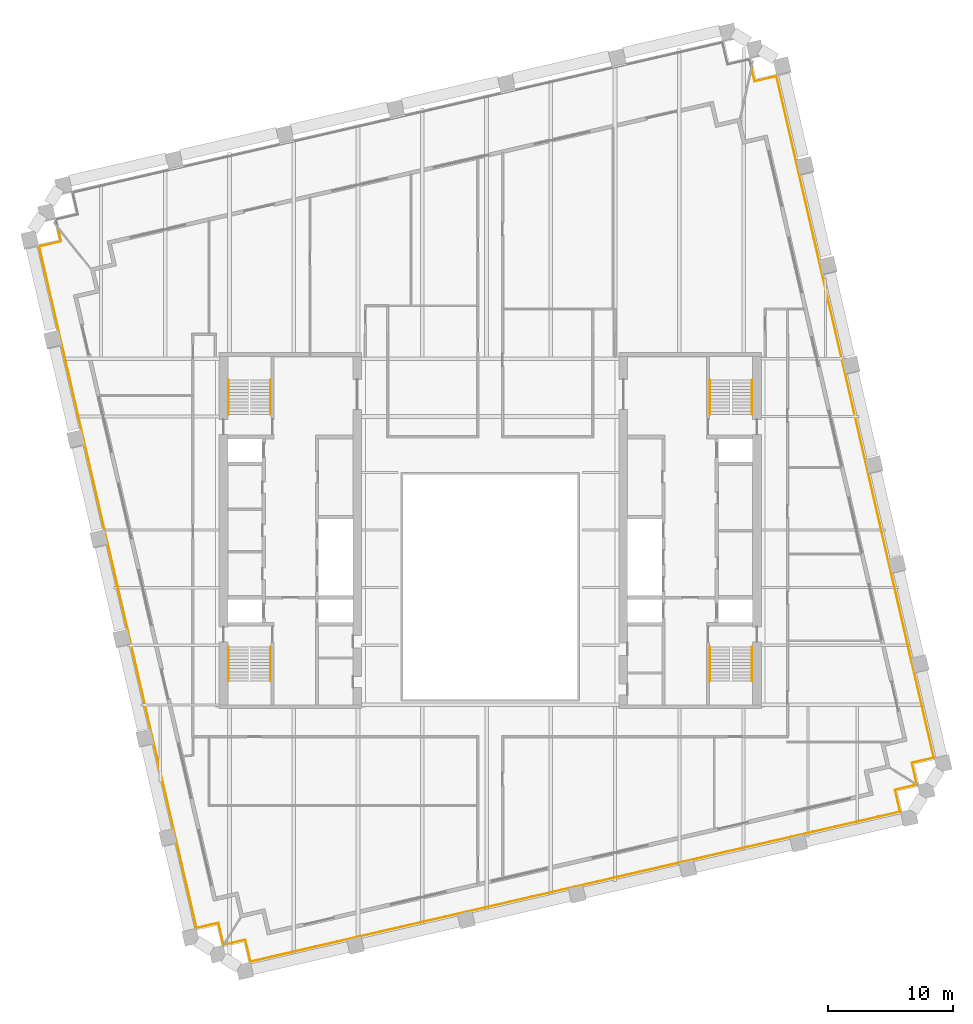
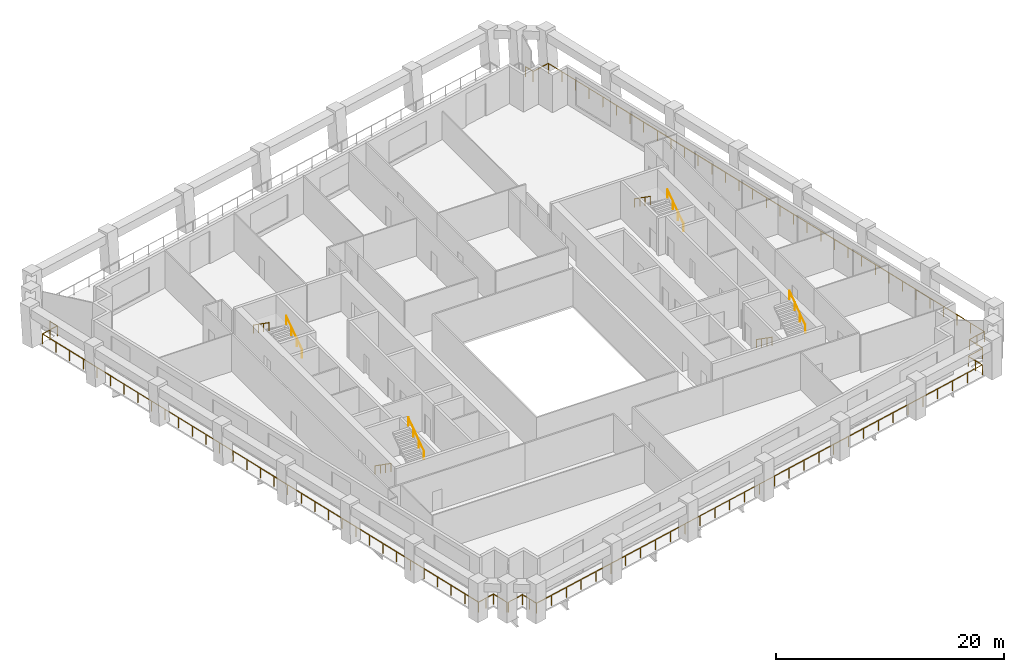
# One storey, part 9 of 10: 11 railings.
"""IFC4 building model written with IfcOpenShell, lengths in metres."""

from ifc_helpers import new_model, si_unit, direction, frame, origin, origin_2d, place, context, subcontext, project, spatial, circle, extrude, material, type_object, element, save


model = new_model("IFC4")

# Units and contexts
model_context = context("Model", 3, precision=1e-05, world=origin(), true_north=direction((0.0, 1.0)))
body_context = subcontext(model_context, "Body", "Model", "MODEL_VIEW")
ifc_project = project(units=[si_unit("LENGTHUNIT", "METRE"), si_unit("AREAUNIT", "SQUARE_METRE"), si_unit("VOLUMEUNIT", "CUBIC_METRE"), si_unit("PLANEANGLEUNIT", "RADIAN"), si_unit("MASSUNIT", "GRAM", prefix="KILO")], contexts=[model_context])

# Site, building, storey
site_placement = place(None, origin())
site = spatial("IfcSite", under=ifc_project, at=site_placement, CompositionType="ELEMENT")
building_placement = place(site_placement, origin())
building = spatial("IfcBuilding", under=site, at=building_placement, Name="Ogive Exchange Tower", CompositionType="ELEMENT")
storey_placement = place(building_placement, frame((0.0, 0.0, 196.800048828125)))
storey = spatial("IfcBuildingStorey", under=building, at=storey_placement, Name="L43", CompositionType="ELEMENT", Elevation=196.800048828125)

# Railings
ifc_material_1 = material(Name="Stainless steel 316", Category="steel")
railing_type_1 = type_object("IfcRailingType", Name="Guard 1100 stainless steel and glass", PredefinedType="GUARDRAIL", material=ifc_material_1)
railing_1_placement = place(storey_placement, frame((34.067138671875, -8.864013671875, -0.050048828125)))
element("IfcRailing", 1, at=railing_1_placement, inside=storey, type_object=railing_type_1, Name="Loggia guard 1", PredefinedType="GUARDRAIL", context=body_context, shape_type="SweptSolid", body=[
    extrude(circle(Radius=0.02392578125, at=origin_2d()), frame((0.0, 0.0, 1.076171875), z_axis=(-0.974364690374, -0.224974332206, 0.0), x_axis=(0.224974332206, -0.974364690374, 0.0)), (0.0, 0.0, 1.0), 1.7080078125),
    extrude(circle(Radius=0.02392578125, at=origin_2d()), frame((-1.664306640625, -0.38427734375, 1.076171875), z_axis=(0.224879318197, -0.974386623598, 0.0), x_axis=(0.974386623598, 0.224879318197, 0.0)), (0.0, 0.0, 1.0), 1.800048828125),
    extrude(circle(Radius=0.02392578125, at=origin_2d()), frame((-1.259521484375, -2.13818359375, 1.076171875), z_axis=(-0.97436998541, -0.224951398156, 0.0), x_axis=(0.224951398156, -0.97436998541, 0.0)), (0.0, 0.0, 1.0), 53.360107421875),
    extrude(circle(Radius=0.02392578125, at=origin_2d()), frame((-53.251953125, -14.1416015625, 1.076171875), z_axis=(-0.224879318197, 0.974386623598, 0.0), x_axis=(-0.974386623598, -0.224879318197, 0.0)), (0.0, 0.0, 1.0), 1.800048828125),
    extrude(circle(Radius=0.02392578125, at=origin_2d()), frame((-53.65673828125, -12.3876953125, 1.076171875), z_axis=(-0.974364690374, -0.224974332206, 0.0), x_axis=(0.224974332206, -0.974364690374, 0.0)), (0.0, 0.0, 1.0), 1.7080078125),
    extrude(circle(Radius=0.02099609375, at=origin_2d()), origin(), (0.0, 0.0, 1.0), 1.052001953125),
    extrude(circle(Radius=0.02099609375, at=origin_2d()), frame((-1.664306640625, -0.38427734375, 0.0)), (0.0, 0.0, 1.0), 1.052001953125),
    extrude(circle(Radius=0.02099609375, at=origin_2d()), frame((-1.4619140625, -1.26123046875, 0.0)), (0.0, 0.0, 1.0), 1.052001953125),
    extrude(circle(Radius=0.02099609375, at=origin_2d()), frame((-1.259521484375, -2.13818359375, 0.0)), (0.0, 0.0, 1.0), 1.052001953125),
    extrude(circle(Radius=0.02099609375, at=origin_2d()), frame((-2.99267578125, -2.538330078125, 0.0)), (0.0, 0.0, 1.0), 1.052001953125),
    extrude(circle(Radius=0.02099609375, at=origin_2d()), frame((-4.7255859375, -2.9384765625, 0.0)), (0.0, 0.0, 1.0), 1.052001953125),
    extrude(circle(Radius=0.02099609375, at=origin_2d()), frame((-6.458740234375, -3.338623046875, 0.0)), (0.0, 0.0, 1.0), 1.052001953125),
    extrude(circle(Radius=0.02099609375, at=origin_2d()), frame((-8.19189453125, -3.738525390625, 0.0)), (0.0, 0.0, 1.0), 1.052001953125),
    extrude(circle(Radius=0.02099609375, at=origin_2d()), frame((-9.9248046875, -4.138671875, 0.0)), (0.0, 0.0, 1.0), 1.052001953125),
    extrude(circle(Radius=0.02099609375, at=origin_2d()), frame((-11.657958984375, -4.538818359375, 0.0)), (0.0, 0.0, 1.0), 1.052001953125),
    extrude(circle(Radius=0.02099609375, at=origin_2d()), frame((-13.39111328125, -4.93896484375, 0.0)), (0.0, 0.0, 1.0), 1.052001953125),
    extrude(circle(Radius=0.02099609375, at=origin_2d()), frame((-15.124267578125, -5.339111328125, 0.0)), (0.0, 0.0, 1.0), 1.052001953125),
    extrude(circle(Radius=0.02099609375, at=origin_2d()), frame((-16.857177734375, -5.7392578125, 0.0)), (0.0, 0.0, 1.0), 1.052001953125),
    extrude(circle(Radius=0.02099609375, at=origin_2d()), frame((-18.59033203125, -6.139404296875, 0.0)), (0.0, 0.0, 1.0), 1.052001953125),
    extrude(circle(Radius=0.02099609375, at=origin_2d()), frame((-20.323486328125, -6.53955078125, 0.0)), (0.0, 0.0, 1.0), 1.052001953125),
    extrude(circle(Radius=0.02099609375, at=origin_2d()), frame((-22.056396484375, -6.939453125, 0.0)), (0.0, 0.0, 1.0), 1.052001953125),
    extrude(circle(Radius=0.02099609375, at=origin_2d()), frame((-23.78955078125, -7.339599609375, 0.0)), (0.0, 0.0, 1.0), 1.052001953125),
    extrude(circle(Radius=0.02099609375, at=origin_2d()), frame((-25.522705078125, -7.73974609375, 0.0)), (0.0, 0.0, 1.0), 1.052001953125),
    extrude(circle(Radius=0.02099609375, at=origin_2d()), frame((-27.255859375, -8.139892578125, 0.0)), (0.0, 0.0, 1.0), 1.052001953125),
    extrude(circle(Radius=0.02099609375, at=origin_2d()), frame((-28.98876953125, -8.5400390625, 0.0)), (0.0, 0.0, 1.0), 1.052001953125),
    extrude(circle(Radius=0.02099609375, at=origin_2d()), frame((-30.721923828125, -8.940185546875, 0.0)), (0.0, 0.0, 1.0), 1.052001953125),
    extrude(circle(Radius=0.02099609375, at=origin_2d()), frame((-32.455078125, -9.34033203125, 0.0)), (0.0, 0.0, 1.0), 1.052001953125),
    extrude(circle(Radius=0.02099609375, at=origin_2d()), frame((-34.18798828125, -9.740234375, 0.0)), (0.0, 0.0, 1.0), 1.052001953125),
    extrude(circle(Radius=0.02099609375, at=origin_2d()), frame((-35.921142578125, -10.140380859375, 0.0)), (0.0, 0.0, 1.0), 1.052001953125),
    extrude(circle(Radius=0.02099609375, at=origin_2d()), frame((-37.654296875, -10.54052734375, 0.0)), (0.0, 0.0, 1.0), 1.052001953125),
    extrude(circle(Radius=0.02099609375, at=origin_2d()), frame((-39.38720703125, -10.940673828125, 0.0)), (0.0, 0.0, 1.0), 1.052001953125),
    extrude(circle(Radius=0.02099609375, at=origin_2d()), frame((-41.120361328125, -11.3408203125, 0.0)), (0.0, 0.0, 1.0), 1.052001953125),
    extrude(circle(Radius=0.02099609375, at=origin_2d()), frame((-42.853515625, -11.740966796875, 0.0)), (0.0, 0.0, 1.0), 1.052001953125),
    extrude(circle(Radius=0.02099609375, at=origin_2d()), frame((-44.58642578125, -12.14111328125, 0.0)), (0.0, 0.0, 1.0), 1.052001953125),
    extrude(circle(Radius=0.02099609375, at=origin_2d()), frame((-46.319580078125, -12.541259765625, 0.0)), (0.0, 0.0, 1.0), 1.052001953125),
    extrude(circle(Radius=0.02099609375, at=origin_2d()), frame((-48.052734375, -12.941162109375, 0.0)), (0.0, 0.0, 1.0), 1.052001953125),
    extrude(circle(Radius=0.02099609375, at=origin_2d()), frame((-49.785888671875, -13.34130859375, 0.0)), (0.0, 0.0, 1.0), 1.052001953125),
    extrude(circle(Radius=0.02099609375, at=origin_2d()), frame((-51.518798828125, -13.741455078125, 0.0)), (0.0, 0.0, 1.0), 1.052001953125),
    extrude(circle(Radius=0.02099609375, at=origin_2d()), frame((-53.251953125, -14.1416015625, 0.0)), (0.0, 0.0, 1.0), 1.052001953125),
    extrude(circle(Radius=0.02099609375, at=origin_2d()), frame((-53.454345703125, -13.2646484375, 0.0)), (0.0, 0.0, 1.0), 1.052001953125),
    extrude(circle(Radius=0.02099609375, at=origin_2d()), frame((-53.65673828125, -12.3876953125, 0.0)), (0.0, 0.0, 1.0), 1.052001953125),
    extrude(circle(Radius=0.02099609375, at=origin_2d()), frame((-55.321044921875, -12.77197265625, 0.0)), (0.0, 0.0, 1.0), 1.052001953125),
])
railing_2_placement = place(storey_placement, frame((-21.364013671875, -21.567138671875, -0.050048828125)))
element("IfcRailing", 2, at=railing_2_placement, inside=storey, type_object=railing_type_1, Name="Loggia guard 2", PredefinedType="GUARDRAIL", context=body_context, shape_type="SweptSolid", body=[
    extrude(circle(Radius=0.02392578125, at=origin_2d()), frame((0.0, 0.0, 1.076171875), z_axis=(-0.224974332206, 0.974364690374, 0.0), x_axis=(-0.974364690374, -0.224974332206, 0.0)), (0.0, 0.0, 1.0), 1.7080078125),
    extrude(circle(Radius=0.02392578125, at=origin_2d()), frame((-0.38427734375, 1.664306640625, 1.076171875), z_axis=(-0.974386623598, -0.224879318197, 0.0), x_axis=(0.224879318197, -0.974386623598, 0.0)), (0.0, 0.0, 1.0), 1.800048828125),
    extrude(circle(Radius=0.02392578125, at=origin_2d()), frame((-2.13818359375, 1.259521484375, 1.076171875), z_axis=(-0.224953146344, 0.974369581807, 0.0), x_axis=(-0.974369581807, -0.224953146344, 0.0)), (0.0, 0.0, 1.0), 55.981689453125),
    extrude(circle(Radius=0.02392578125, at=origin_2d()), frame((-14.7314453125, 55.806396484375, 1.076171875), z_axis=(0.974356896201, 0.225008086135, 0.0), x_axis=(-0.225008086135, 0.974356896201, 0.0)), (0.0, 0.0, 1.0), 1.800048828125),
    extrude(circle(Radius=0.02392578125, at=origin_2d()), frame((-12.9775390625, 56.21142578125, 1.076171875), z_axis=(-0.225061296152, 0.974344606889, 0.0), x_axis=(-0.974344606889, -0.225061296152, 0.0)), (0.0, 0.0, 1.0), 0.971923828125),
    extrude(circle(Radius=0.02099609375, at=origin_2d()), origin(), (0.0, 0.0, 1.0), 1.052001953125),
    extrude(circle(Radius=0.02099609375, at=origin_2d()), frame((-0.38427734375, 1.664306640625, 0.0)), (0.0, 0.0, 1.0), 1.052001953125),
    extrude(circle(Radius=0.02099609375, at=origin_2d()), frame((-1.26123046875, 1.4619140625, 0.0)), (0.0, 0.0, 1.0), 1.052001953125),
    extrude(circle(Radius=0.02099609375, at=origin_2d()), frame((-2.13818359375, 1.259521484375, 0.0)), (0.0, 0.0, 1.0), 1.052001953125),
    extrude(circle(Radius=0.02099609375, at=origin_2d()), frame((-2.53173828125, 2.964111328125, 0.0)), (0.0, 0.0, 1.0), 1.052001953125),
    extrude(circle(Radius=0.02099609375, at=origin_2d()), frame((-2.92529296875, 4.668701171875, 0.0)), (0.0, 0.0, 1.0), 1.052001953125),
    extrude(circle(Radius=0.02099609375, at=origin_2d()), frame((-3.31884765625, 6.373291015625, 0.0)), (0.0, 0.0, 1.0), 1.052001953125),
    extrude(circle(Radius=0.02099609375, at=origin_2d()), frame((-3.71240234375, 8.077880859375, 0.0)), (0.0, 0.0, 1.0), 1.052001953125),
    extrude(circle(Radius=0.02099609375, at=origin_2d()), frame((-4.10595703125, 9.782470703125, 0.0)), (0.0, 0.0, 1.0), 1.052001953125),
    extrude(circle(Radius=0.02099609375, at=origin_2d()), frame((-4.49951171875, 11.487060546875, 0.0)), (0.0, 0.0, 1.0), 1.052001953125),
    extrude(circle(Radius=0.02099609375, at=origin_2d()), frame((-4.89306640625, 13.191650390625, 0.0)), (0.0, 0.0, 1.0), 1.052001953125),
    extrude(circle(Radius=0.02099609375, at=origin_2d()), frame((-5.28662109375, 14.896240234375, 0.0)), (0.0, 0.0, 1.0), 1.052001953125),
    extrude(circle(Radius=0.02099609375, at=origin_2d()), frame((-5.679931640625, 16.600830078125, 0.0)), (0.0, 0.0, 1.0), 1.052001953125),
    extrude(circle(Radius=0.02099609375, at=origin_2d()), frame((-6.073486328125, 18.305419921875, 0.0)), (0.0, 0.0, 1.0), 1.052001953125),
    extrude(circle(Radius=0.02099609375, at=origin_2d()), frame((-6.467041015625, 20.010009765625, 0.0)), (0.0, 0.0, 1.0), 1.052001953125),
    extrude(circle(Radius=0.02099609375, at=origin_2d()), frame((-6.860595703125, 21.714599609375, 0.0)), (0.0, 0.0, 1.0), 1.052001953125),
    extrude(circle(Radius=0.02099609375, at=origin_2d()), frame((-7.254150390625, 23.419189453125, 0.0)), (0.0, 0.0, 1.0), 1.052001953125),
    extrude(circle(Radius=0.02099609375, at=origin_2d()), frame((-7.647705078125, 25.123779296875, 0.0)), (0.0, 0.0, 1.0), 1.052001953125),
    extrude(circle(Radius=0.02099609375, at=origin_2d()), frame((-8.041259765625, 26.828369140625, 0.0)), (0.0, 0.0, 1.0), 1.052001953125),
    extrude(circle(Radius=0.02099609375, at=origin_2d()), frame((-8.434814453125, 28.532958984375, 0.0)), (0.0, 0.0, 1.0), 1.052001953125),
    extrude(circle(Radius=0.02099609375, at=origin_2d()), frame((-8.828369140625, 30.237548828125, 0.0)), (0.0, 0.0, 1.0), 1.052001953125),
    extrude(circle(Radius=0.02099609375, at=origin_2d()), frame((-9.221923828125, 31.942138671875, 0.0)), (0.0, 0.0, 1.0), 1.052001953125),
    extrude(circle(Radius=0.02099609375, at=origin_2d()), frame((-9.615478515625, 33.646728515625, 0.0)), (0.0, 0.0, 1.0), 1.052001953125),
    extrude(circle(Radius=0.02099609375, at=origin_2d()), frame((-10.009033203125, 35.351318359375, 0.0)), (0.0, 0.0, 1.0), 1.052001953125),
    extrude(circle(Radius=0.02099609375, at=origin_2d()), frame((-10.402587890625, 37.055908203125, 0.0)), (0.0, 0.0, 1.0), 1.052001953125),
    extrude(circle(Radius=0.02099609375, at=origin_2d()), frame((-10.796142578125, 38.760498046875, 0.0)), (0.0, 0.0, 1.0), 1.052001953125),
    extrude(circle(Radius=0.02099609375, at=origin_2d()), frame((-11.189697265625, 40.465087890625, 0.0)), (0.0, 0.0, 1.0), 1.052001953125),
    extrude(circle(Radius=0.02099609375, at=origin_2d()), frame((-11.5830078125, 42.169677734375, 0.0)), (0.0, 0.0, 1.0), 1.052001953125),
    extrude(circle(Radius=0.02099609375, at=origin_2d()), frame((-11.9765625, 43.874267578125, 0.0)), (0.0, 0.0, 1.0), 1.052001953125),
    extrude(circle(Radius=0.02099609375, at=origin_2d()), frame((-12.3701171875, 45.578857421875, 0.0)), (0.0, 0.0, 1.0), 1.052001953125),
    extrude(circle(Radius=0.02099609375, at=origin_2d()), frame((-12.763671875, 47.283447265625, 0.0)), (0.0, 0.0, 1.0), 1.052001953125),
    extrude(circle(Radius=0.02099609375, at=origin_2d()), frame((-13.1572265625, 48.988037109375, 0.0)), (0.0, 0.0, 1.0), 1.052001953125),
    extrude(circle(Radius=0.02099609375, at=origin_2d()), frame((-13.55078125, 50.692626953125, 0.0)), (0.0, 0.0, 1.0), 1.052001953125),
    extrude(circle(Radius=0.02099609375, at=origin_2d()), frame((-13.9443359375, 52.397216796875, 0.0)), (0.0, 0.0, 1.0), 1.052001953125),
    extrude(circle(Radius=0.02099609375, at=origin_2d()), frame((-14.337890625, 54.101806640625, 0.0)), (0.0, 0.0, 1.0), 1.052001953125),
    extrude(circle(Radius=0.02099609375, at=origin_2d()), frame((-14.7314453125, 55.806396484375, 0.0)), (0.0, 0.0, 1.0), 1.052001953125),
    extrude(circle(Radius=0.02099609375, at=origin_2d()), frame((-13.8544921875, 56.0087890625, 0.0)), (0.0, 0.0, 1.0), 1.052001953125),
    extrude(circle(Radius=0.02099609375, at=origin_2d()), frame((-12.9775390625, 56.21142578125, 0.0)), (0.0, 0.0, 1.0), 1.052001953125),
    extrude(circle(Radius=0.02099609375, at=origin_2d()), frame((-13.1962890625, 57.158447265625, 0.0)), (0.0, 0.0, 1.0), 1.052001953125),
])
railing_3_placement = place(storey_placement, frame((20.93994140625, 48.404541015625, -0.050048828125)))
element("IfcRailing", 3, at=railing_3_placement, inside=storey, type_object=railing_type_1, Name="Loggia guard 4", PredefinedType="GUARDRAIL", context=body_context, shape_type="SweptSolid", body=[
    extrude(circle(Radius=0.02392578125, at=origin_2d()), frame((0.0, 0.0, 1.076171875), z_axis=(0.225061296152, -0.974344606889, 0.0), x_axis=(0.974344606889, 0.225061296152, 0.0)), (0.0, 0.0, 1.0), 0.971923828125),
    extrude(circle(Radius=0.02392578125, at=origin_2d()), frame((0.21875, -0.947021484375, 1.076171875), z_axis=(0.974379763188, 0.224909041816, 0.0), x_axis=(-0.224909041816, 0.974379763188, 0.0)), (0.0, 0.0, 1.0), 1.7998046875),
    extrude(circle(Radius=0.02392578125, at=origin_2d()), frame((1.972412109375, -0.542236328125, 1.076171875), z_axis=(0.224952190454, -0.974369802493, 0.0), x_axis=(0.974369802493, 0.224952190454, 0.0)), (0.0, 0.0, 1.0), 55.98193359375),
    extrude(circle(Radius=0.02392578125, at=origin_2d()), frame((14.565673828125, -55.08935546875, 1.076171875), z_axis=(-0.974386623598, -0.224879318197, 0.0), x_axis=(0.224879318197, -0.974386623598, 0.0)), (0.0, 0.0, 1.0), 1.800048828125),
    extrude(circle(Radius=0.02392578125, at=origin_2d()), frame((12.811767578125, -55.494140625, 1.076171875), z_axis=(0.224974332206, -0.974364690374, 0.0), x_axis=(0.974364690374, 0.224974332206, 0.0)), (0.0, 0.0, 1.0), 1.7080078125),
    extrude(circle(Radius=0.02099609375, at=origin_2d()), origin(), (0.0, 0.0, 1.0), 1.052001953125),
    extrude(circle(Radius=0.02099609375, at=origin_2d()), frame((0.21875, -0.947021484375, 0.0)), (0.0, 0.0, 1.0), 1.052001953125),
    extrude(circle(Radius=0.02099609375, at=origin_2d()), frame((1.972412109375, -0.542236328125, 0.0)), (0.0, 0.0, 1.0), 1.052001953125),
    extrude(circle(Radius=0.02099609375, at=origin_2d()), frame((2.365966796875, -2.246826171875, 0.0)), (0.0, 0.0, 1.0), 1.052001953125),
    extrude(circle(Radius=0.02099609375, at=origin_2d()), frame((2.759521484375, -3.951416015625, 0.0)), (0.0, 0.0, 1.0), 1.052001953125),
    extrude(circle(Radius=0.02099609375, at=origin_2d()), frame((3.153076171875, -5.656005859375, 0.0)), (0.0, 0.0, 1.0), 1.052001953125),
    extrude(circle(Radius=0.02099609375, at=origin_2d()), frame((3.546630859375, -7.360595703125, 0.0)), (0.0, 0.0, 1.0), 1.052001953125),
    extrude(circle(Radius=0.02099609375, at=origin_2d()), frame((3.940185546875, -9.065185546875, 0.0)), (0.0, 0.0, 1.0), 1.052001953125),
    extrude(circle(Radius=0.02099609375, at=origin_2d()), frame((4.333740234375, -10.769775390625, 0.0)), (0.0, 0.0, 1.0), 1.052001953125),
    extrude(circle(Radius=0.02099609375, at=origin_2d()), frame((4.727294921875, -12.474365234375, 0.0)), (0.0, 0.0, 1.0), 1.052001953125),
    extrude(circle(Radius=0.02099609375, at=origin_2d()), frame((5.12060546875, -14.178955078125, 0.0)), (0.0, 0.0, 1.0), 1.052001953125),
    extrude(circle(Radius=0.02099609375, at=origin_2d()), frame((5.51416015625, -15.883544921875, 0.0)), (0.0, 0.0, 1.0), 1.052001953125),
    extrude(circle(Radius=0.02099609375, at=origin_2d()), frame((5.90771484375, -17.588134765625, 0.0)), (0.0, 0.0, 1.0), 1.052001953125),
    extrude(circle(Radius=0.02099609375, at=origin_2d()), frame((6.30126953125, -19.292724609375, 0.0)), (0.0, 0.0, 1.0), 1.052001953125),
    extrude(circle(Radius=0.02099609375, at=origin_2d()), frame((6.69482421875, -20.997314453125, 0.0)), (0.0, 0.0, 1.0), 1.052001953125),
    extrude(circle(Radius=0.02099609375, at=origin_2d()), frame((7.08837890625, -22.701904296875, 0.0)), (0.0, 0.0, 1.0), 1.052001953125),
    extrude(circle(Radius=0.02099609375, at=origin_2d()), frame((7.48193359375, -24.406494140625, 0.0)), (0.0, 0.0, 1.0), 1.052001953125),
    extrude(circle(Radius=0.02099609375, at=origin_2d()), frame((7.87548828125, -26.111083984375, 0.0)), (0.0, 0.0, 1.0), 1.052001953125),
    extrude(circle(Radius=0.02099609375, at=origin_2d()), frame((8.26904296875, -27.81591796875, 0.0)), (0.0, 0.0, 1.0), 1.052001953125),
    extrude(circle(Radius=0.02099609375, at=origin_2d()), frame((8.66259765625, -29.5205078125, 0.0)), (0.0, 0.0, 1.0), 1.052001953125),
    extrude(circle(Radius=0.02099609375, at=origin_2d()), frame((9.05615234375, -31.22509765625, 0.0)), (0.0, 0.0, 1.0), 1.052001953125),
    extrude(circle(Radius=0.02099609375, at=origin_2d()), frame((9.44970703125, -32.9296875, 0.0)), (0.0, 0.0, 1.0), 1.052001953125),
    extrude(circle(Radius=0.02099609375, at=origin_2d()), frame((9.84326171875, -34.63427734375, 0.0)), (0.0, 0.0, 1.0), 1.052001953125),
    extrude(circle(Radius=0.02099609375, at=origin_2d()), frame((10.23681640625, -36.3388671875, 0.0)), (0.0, 0.0, 1.0), 1.052001953125),
    extrude(circle(Radius=0.02099609375, at=origin_2d()), frame((10.63037109375, -38.04345703125, 0.0)), (0.0, 0.0, 1.0), 1.052001953125),
    extrude(circle(Radius=0.02099609375, at=origin_2d()), frame((11.02392578125, -39.748046875, 0.0)), (0.0, 0.0, 1.0), 1.052001953125),
    extrude(circle(Radius=0.02099609375, at=origin_2d()), frame((11.41748046875, -41.45263671875, 0.0)), (0.0, 0.0, 1.0), 1.052001953125),
    extrude(circle(Radius=0.02099609375, at=origin_2d()), frame((11.810791015625, -43.1572265625, 0.0)), (0.0, 0.0, 1.0), 1.052001953125),
    extrude(circle(Radius=0.02099609375, at=origin_2d()), frame((12.204345703125, -44.86181640625, 0.0)), (0.0, 0.0, 1.0), 1.052001953125),
    extrude(circle(Radius=0.02099609375, at=origin_2d()), frame((12.597900390625, -46.56640625, 0.0)), (0.0, 0.0, 1.0), 1.052001953125),
    extrude(circle(Radius=0.02099609375, at=origin_2d()), frame((12.991455078125, -48.27099609375, 0.0)), (0.0, 0.0, 1.0), 1.052001953125),
    extrude(circle(Radius=0.02099609375, at=origin_2d()), frame((13.385009765625, -49.9755859375, 0.0)), (0.0, 0.0, 1.0), 1.052001953125),
    extrude(circle(Radius=0.02099609375, at=origin_2d()), frame((13.778564453125, -51.68017578125, 0.0)), (0.0, 0.0, 1.0), 1.052001953125),
    extrude(circle(Radius=0.02099609375, at=origin_2d()), frame((14.172119140625, -53.384765625, 0.0)), (0.0, 0.0, 1.0), 1.052001953125),
    extrude(circle(Radius=0.02099609375, at=origin_2d()), frame((14.565673828125, -55.08935546875, 0.0)), (0.0, 0.0, 1.0), 1.052001953125),
    extrude(circle(Radius=0.02099609375, at=origin_2d()), frame((13.688720703125, -55.291748046875, 0.0)), (0.0, 0.0, 1.0), 1.052001953125),
    extrude(circle(Radius=0.02099609375, at=origin_2d()), frame((12.811767578125, -55.494140625, 0.0)), (0.0, 0.0, 1.0), 1.052001953125),
    extrude(circle(Radius=0.02099609375, at=origin_2d()), frame((13.196044921875, -57.158447265625, 0.0)), (0.0, 0.0, 1.0), 1.052001953125),
])
ifc_material_2 = material(Name="Stainless steel", Category="steel")
railing_type_2 = type_object("IfcRailingType", Name="Stair handrail 900", PredefinedType="HANDRAIL", material=ifc_material_2)
railing_4_placement = place(storey_placement, frame((-20.949951171875, 2.199951171875, 0.175048828125)))
element("IfcRailing", 4, at=railing_4_placement, inside=storey, type_object=railing_type_2, Name="L43 ST1 stair handrail 1", PredefinedType="HANDRAIL", context=body_context, shape_type="SweptSolid", body=[
    extrude(circle(Radius=0.02392578125, at=origin_2d()), frame((0.0, 0.0, 0.8759765625), z_axis=(0.0, -0.819259255306, 0.573423292687), x_axis=(1.0, 0.0, 0.0)), (0.0, 0.0, 1.0), 3.356689453125),
    extrude(circle(Radius=0.02099609375, at=origin_2d()), origin(), (0.0, 0.0, 1.0), 0.851806640625),
    extrude(circle(Radius=0.02099609375, at=origin_2d()), frame((0.0, -0.916748046875, 0.6416015625)), (0.0, 0.0, 1.0), 0.851806640625),
    extrude(circle(Radius=0.02099609375, at=origin_2d()), frame((0.0, -1.833251953125, 1.283203125)), (0.0, 0.0, 1.0), 0.851806640625),
    extrude(circle(Radius=0.02099609375, at=origin_2d()), frame((0.0, -2.75, 1.9248046875)), (0.0, 0.0, 1.0), 0.851806640625),
])
railing_5_placement = place(storey_placement, frame((-17.60009765625, -0.550048828125, 2.27490234375)))
element("IfcRailing", 5, at=railing_5_placement, inside=storey, type_object=railing_type_2, Name="L43 ST1 stair handrail 2", PredefinedType="HANDRAIL", context=body_context, shape_type="SweptSolid", body=[
    extrude(circle(Radius=0.02392578125, at=origin_2d()), frame((0.0, 0.0, 0.8759765625), z_axis=(0.0, 0.819225086817, 0.573472106672), x_axis=(-1.0, 0.0, 0.0)), (0.0, 0.0, 1.0), 3.35693359375),
    extrude(circle(Radius=0.02099609375, at=origin_2d()), origin(), (0.0, 0.0, 1.0), 0.851806640625),
    extrude(circle(Radius=0.02099609375, at=origin_2d()), frame((0.0, 0.916748046875, 0.6416015625)), (0.0, 0.0, 1.0), 0.851806640625),
    extrude(circle(Radius=0.02099609375, at=origin_2d()), frame((0.0, 1.833251953125, 1.283447265625)), (0.0, 0.0, 1.0), 0.851806640625),
    extrude(circle(Radius=0.02099609375, at=origin_2d()), frame((0.0, 2.75, 1.925048828125)), (0.0, 0.0, 1.0), 0.851806640625),
])
railing_6_placement = place(storey_placement, frame((-17.60009765625, 20.800048828125, 0.175048828125)))
element("IfcRailing", 6, at=railing_6_placement, inside=storey, type_object=railing_type_2, Name="L43 ST2 stair handrail 1", PredefinedType="HANDRAIL", context=body_context, shape_type="SweptSolid", body=[
    extrude(circle(Radius=0.02392578125, at=origin_2d()), frame((0.0, 0.0, 0.8759765625), z_axis=(0.0, 0.819259255306, 0.573423292687), x_axis=(-1.0, 0.0, 0.0)), (0.0, 0.0, 1.0), 3.356689453125),
    extrude(circle(Radius=0.02099609375, at=origin_2d()), origin(), (0.0, 0.0, 1.0), 0.851806640625),
    extrude(circle(Radius=0.02099609375, at=origin_2d()), frame((0.0, 0.916748046875, 0.6416015625)), (0.0, 0.0, 1.0), 0.851806640625),
    extrude(circle(Radius=0.02099609375, at=origin_2d()), frame((0.0, 1.833251953125, 1.283203125)), (0.0, 0.0, 1.0), 0.851806640625),
    extrude(circle(Radius=0.02099609375, at=origin_2d()), frame((0.0, 2.75, 1.9248046875)), (0.0, 0.0, 1.0), 0.851806640625),
])
railing_7_placement = place(storey_placement, frame((-20.949951171875, 23.550048828125, 2.27490234375)))
element("IfcRailing", 7, at=railing_7_placement, inside=storey, type_object=railing_type_2, Name="L43 ST2 stair handrail 2", PredefinedType="HANDRAIL", context=body_context, shape_type="SweptSolid", body=[
    extrude(circle(Radius=0.02392578125, at=origin_2d()), frame((0.0, 0.0, 0.8759765625), z_axis=(0.0, -0.819225086817, 0.573472106672), x_axis=(1.0, 0.0, 0.0)), (0.0, 0.0, 1.0), 3.35693359375),
    extrude(circle(Radius=0.02099609375, at=origin_2d()), origin(), (0.0, 0.0, 1.0), 0.851806640625),
    extrude(circle(Radius=0.02099609375, at=origin_2d()), frame((0.0, -0.916748046875, 0.6416015625)), (0.0, 0.0, 1.0), 0.851806640625),
    extrude(circle(Radius=0.02099609375, at=origin_2d()), frame((0.0, -1.833251953125, 1.283447265625)), (0.0, 0.0, 1.0), 0.851806640625),
    extrude(circle(Radius=0.02099609375, at=origin_2d()), frame((0.0, -2.75, 1.925048828125)), (0.0, 0.0, 1.0), 0.851806640625),
])
railing_8_placement = place(storey_placement, frame((17.60009765625, 2.199951171875, 0.175048828125)))
element("IfcRailing", 8, at=railing_8_placement, inside=storey, type_object=railing_type_2, Name="L43 ST3 stair handrail 1", PredefinedType="HANDRAIL", context=body_context, shape_type="SweptSolid", body=[
    extrude(circle(Radius=0.02392578125, at=origin_2d()), frame((0.0, 0.0, 0.8759765625), z_axis=(0.0, -0.819259255306, 0.573423292687), x_axis=(1.0, 0.0, 0.0)), (0.0, 0.0, 1.0), 3.356689453125),
    extrude(circle(Radius=0.02099609375, at=origin_2d()), origin(), (0.0, 0.0, 1.0), 0.851806640625),
    extrude(circle(Radius=0.02099609375, at=origin_2d()), frame((0.0, -0.916748046875, 0.6416015625)), (0.0, 0.0, 1.0), 0.851806640625),
    extrude(circle(Radius=0.02099609375, at=origin_2d()), frame((0.0, -1.833251953125, 1.283203125)), (0.0, 0.0, 1.0), 0.851806640625),
    extrude(circle(Radius=0.02099609375, at=origin_2d()), frame((0.0, -2.75, 1.9248046875)), (0.0, 0.0, 1.0), 0.851806640625),
])
railing_9_placement = place(storey_placement, frame((20.949951171875, -0.550048828125, 2.27490234375)))
element("IfcRailing", 9, at=railing_9_placement, inside=storey, type_object=railing_type_2, Name="L43 ST3 stair handrail 2", PredefinedType="HANDRAIL", context=body_context, shape_type="SweptSolid", body=[
    extrude(circle(Radius=0.02392578125, at=origin_2d()), frame((0.0, 0.0, 0.8759765625), z_axis=(0.0, 0.819225086817, 0.573472106672), x_axis=(-1.0, 0.0, 0.0)), (0.0, 0.0, 1.0), 3.35693359375),
    extrude(circle(Radius=0.02099609375, at=origin_2d()), origin(), (0.0, 0.0, 1.0), 0.851806640625),
    extrude(circle(Radius=0.02099609375, at=origin_2d()), frame((0.0, 0.916748046875, 0.6416015625)), (0.0, 0.0, 1.0), 0.851806640625),
    extrude(circle(Radius=0.02099609375, at=origin_2d()), frame((0.0, 1.833251953125, 1.283447265625)), (0.0, 0.0, 1.0), 0.851806640625),
    extrude(circle(Radius=0.02099609375, at=origin_2d()), frame((0.0, 2.75, 1.925048828125)), (0.0, 0.0, 1.0), 0.851806640625),
])
railing_10_placement = place(storey_placement, frame((20.949951171875, 20.800048828125, 0.175048828125)))
element("IfcRailing", 10, at=railing_10_placement, inside=storey, type_object=railing_type_2, Name="L43 ST4 stair handrail 1", PredefinedType="HANDRAIL", context=body_context, shape_type="SweptSolid", body=[
    extrude(circle(Radius=0.02392578125, at=origin_2d()), frame((0.0, 0.0, 0.8759765625), z_axis=(0.0, 0.819259255306, 0.573423292687), x_axis=(-1.0, 0.0, 0.0)), (0.0, 0.0, 1.0), 3.356689453125),
    extrude(circle(Radius=0.02099609375, at=origin_2d()), origin(), (0.0, 0.0, 1.0), 0.851806640625),
    extrude(circle(Radius=0.02099609375, at=origin_2d()), frame((0.0, 0.916748046875, 0.6416015625)), (0.0, 0.0, 1.0), 0.851806640625),
    extrude(circle(Radius=0.02099609375, at=origin_2d()), frame((0.0, 1.833251953125, 1.283203125)), (0.0, 0.0, 1.0), 0.851806640625),
    extrude(circle(Radius=0.02099609375, at=origin_2d()), frame((0.0, 2.75, 1.9248046875)), (0.0, 0.0, 1.0), 0.851806640625),
])
railing_11_placement = place(storey_placement, frame((17.60009765625, 23.550048828125, 2.27490234375)))
element("IfcRailing", 11, at=railing_11_placement, inside=storey, type_object=railing_type_2, Name="L43 ST4 stair handrail 2", PredefinedType="HANDRAIL", context=body_context, shape_type="SweptSolid", body=[
    extrude(circle(Radius=0.02392578125, at=origin_2d()), frame((0.0, 0.0, 0.8759765625), z_axis=(0.0, -0.819225086817, 0.573472106672), x_axis=(1.0, 0.0, 0.0)), (0.0, 0.0, 1.0), 3.35693359375),
    extrude(circle(Radius=0.02099609375, at=origin_2d()), origin(), (0.0, 0.0, 1.0), 0.851806640625),
    extrude(circle(Radius=0.02099609375, at=origin_2d()), frame((0.0, -0.916748046875, 0.6416015625)), (0.0, 0.0, 1.0), 0.851806640625),
    extrude(circle(Radius=0.02099609375, at=origin_2d()), frame((0.0, -1.833251953125, 1.283447265625)), (0.0, 0.0, 1.0), 0.851806640625),
    extrude(circle(Radius=0.02099609375, at=origin_2d()), frame((0.0, -2.75, 1.925048828125)), (0.0, 0.0, 1.0), 0.851806640625),
])

save(model, "model.ifc")
